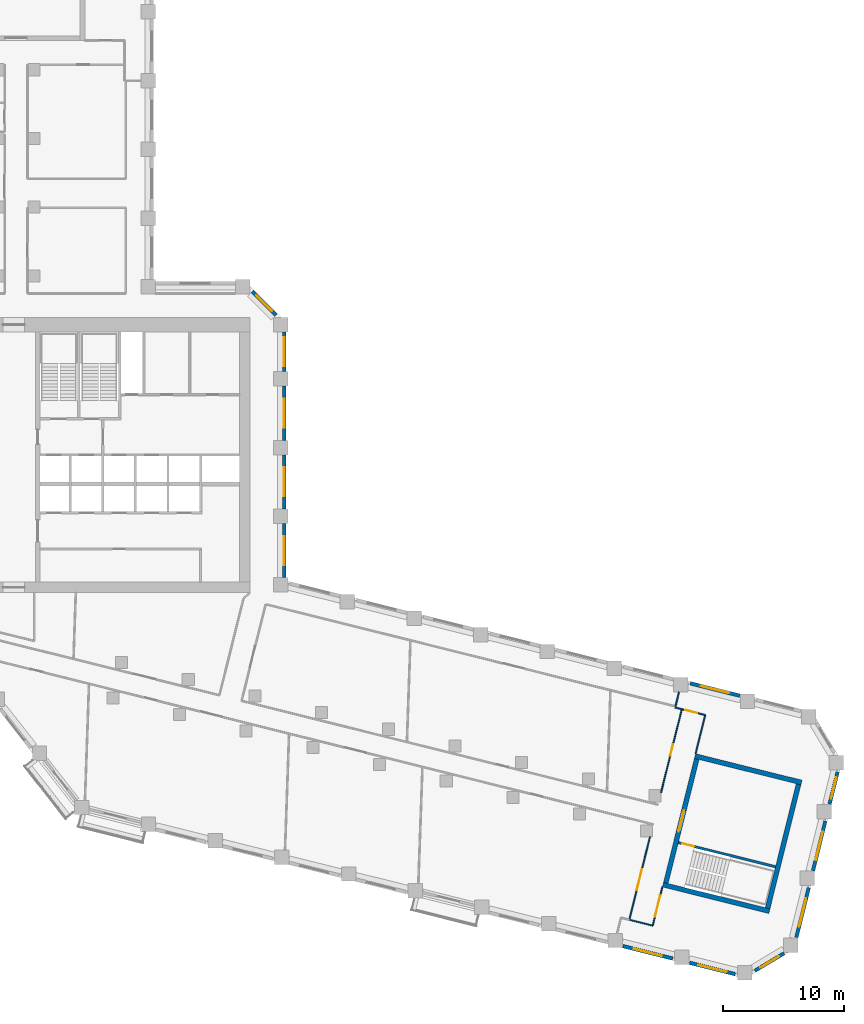
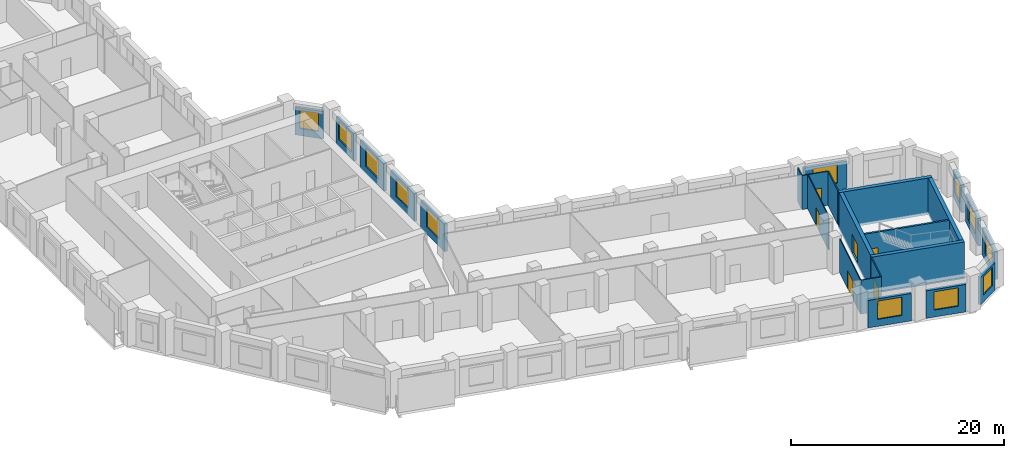
# One storey, part 6 of 10: 25 walls, 12 windows, 6 doors, 18 openings.
"""IFC4 building model written with IfcOpenShell, lengths in metres."""

from ifc_helpers import new_model, si_unit, direction, frame, frame_2d, origin, place, context, subcontext, project, spatial, rectangle, extrude, material, layer, layer_set, type_object, element, fill, save


model = new_model("IFC4")

# Units and contexts
model_context = context("Model", 3, precision=1e-05, world=origin(), true_north=direction((0.0, 1.0)))
body_context = subcontext(model_context, "Body", "Model", "MODEL_VIEW")
ifc_project = project(units=[si_unit("LENGTHUNIT", "METRE"), si_unit("AREAUNIT", "SQUARE_METRE"), si_unit("VOLUMEUNIT", "CUBIC_METRE"), si_unit("PLANEANGLEUNIT", "RADIAN"), si_unit("MASSUNIT", "GRAM", prefix="KILO")], contexts=[model_context])

# Site, building, storey
site_placement = place(None, origin())
site = spatial("IfcSite", under=ifc_project, at=site_placement, CompositionType="ELEMENT")
building_placement = place(site_placement, origin())
building = spatial("IfcBuilding", under=site, at=building_placement, Name="Meshkara Civic Tower", CompositionType="ELEMENT")
storey_placement = place(building_placement, frame((0.0, 0.0, 165.60009765625)))
storey = spatial("IfcBuildingStorey", under=building, at=storey_placement, Name="L37", CompositionType="ELEMENT", Elevation=165.60009765625)

# Wall
ifc_material_1 = material(Name="Corridor wall 100")
ifc_layer_1 = layer(ifc_material_1, 0.10009765625)
ifc_layer_set_1 = layer_set([ifc_layer_1], Name="Corridor wall 100")
wall_type_1 = type_object("IfcWallType", Name="Corridor wall 100", PredefinedType="PARTITIONING", material=ifc_layer_set_1)
wall_1_placement = place(storey_placement, frame((62.261962890625, -13.050048828125, 0.0), z_axis=(0.0, 0.0, 1.0), x_axis=(0.970300241929, -0.241903783585, 0.0)))
element("IfcWall", 1, at=wall_1_placement, inside=storey, type_object=wall_type_1, Name="L37-W032", PredefinedType="PARTITIONING", context=body_context, shape_type="SweptSolid", body=[
    extrude(rectangle(XDim=2.000244140625, YDim=0.10009765625, at=frame_2d((1.0, 0.0))), origin(), (0.0, 0.0, 1.0), 3.89990234375),
])

# Wall, opening, door
wall_2_placement = place(storey_placement, frame((63.97705078125, -6.1708984375, 0.0), z_axis=(0.0, 0.0, 1.0), x_axis=(-0.241911678739, -0.970298273568, 0.0)))
wall_2 = element("IfcWall", 2, at=wall_2_placement, inside=storey, type_object=wall_type_1, Name="L37-W033", PredefinedType="PARTITIONING", context=body_context, shape_type="SweptSolid", body=[
    extrude(rectangle(XDim=7.08984375, YDim=0.10009765625, at=frame_2d((3.544921875, 0.0))), origin(), (0.0, 0.0, 1.0), 3.89990234375),
])
opening_1_placement = place(wall_2_placement, frame((2.780029296875, 0.0, 0.0)))
opening_1 = element("IfcOpeningElement", 3, at=opening_1_placement, cuts=wall_2, Name="Opening L37-D001", PredefinedType="OPENING", context=body_context, shape_type="SweptSolid", body=[
    extrude(rectangle(XDim=1.800048828125, YDim=2.10009765625, at=frame_2d((0.89990234375, 1.050048828125))), frame((0.0, 0.06005859375, 0.0), z_axis=(0.0, -1.0, 0.0), x_axis=(1.0, 0.0, 0.0)), (0.0, 0.0, 1.0), 0.1201171875),
])
ifc_material_2 = material(Name="Door pair 1800 x 2100")
door_type_1 = type_object("IfcDoorType", Name="Door pair 1800 x 2100", OperationType="SINGLE_SWING_LEFT", PredefinedType="DOOR", material=ifc_material_2)
door_1_placement = place(opening_1_placement, origin())
door_1 = element("IfcDoor", 4, at=door_1_placement, inside=storey, type_object=door_type_1, Name="L37-D001", OperationType="DOUBLE_DOOR_SINGLE_SWING", OverallHeight=2.10009765625, OverallWidth=1.800048828125, PredefinedType="DOOR", context=body_context, shape_type="SweptSolid", body=[
    extrude(rectangle(XDim=1.800048828125, YDim=2.10009765625, at=frame_2d((0.89990234375, 1.050048828125))), frame((0.0, 0.02490234375, 0.0), z_axis=(0.0, -1.0, 0.0), x_axis=(1.0, 0.0, 0.0)), (0.0, 0.0, 1.0), 0.050048828125),
])
fill(opening_1, door_1)

wall_3_placement = place(storey_placement, frame((64.202880859375, -13.533935546875, 0.0), z_axis=(0.0, 0.0, 1.0), x_axis=(0.241856645367, 0.970311992656, 0.0)))
wall_3 = element("IfcWall", 5, at=wall_3_placement, inside=storey, type_object=wall_type_1, Name="L37-W034", PredefinedType="PARTITIONING", context=body_context, shape_type="SweptSolid", body=[
    extrude(rectangle(XDim=3.2998046875, YDim=0.10009765625, at=frame_2d((1.64990234375, 0.0))), origin(), (0.0, 0.0, 1.0), 3.89990234375),
])
opening_2_placement = place(wall_3_placement, frame((0.780029296875, 0.0, 0.0)))
opening_2 = element("IfcOpeningElement", 6, at=opening_2_placement, cuts=wall_3, Name="Opening L37-D002", PredefinedType="OPENING", context=body_context, shape_type="SweptSolid", body=[
    extrude(rectangle(XDim=1.800048828125, YDim=2.10009765625, at=frame_2d((0.89990234375, 1.050048828125))), frame((0.0, 0.06005859375, 0.0), z_axis=(0.0, -1.0, 0.0), x_axis=(1.0, 0.0, 0.0)), (0.0, 0.0, 1.0), 0.1201171875),
])
door_2_placement = place(opening_2_placement, origin())
door_2 = element("IfcDoor", 7, at=door_2_placement, inside=storey, type_object=door_type_1, Name="L37-D002", OperationType="DOUBLE_DOOR_SINGLE_SWING", OverallHeight=2.10009765625, OverallWidth=1.800048828125, PredefinedType="DOOR", context=body_context, shape_type="SweptSolid", body=[
    extrude(rectangle(XDim=1.800048828125, YDim=2.10009765625, at=frame_2d((0.89990234375, 1.050048828125))), frame((0.0, 0.02490234375, 0.0), z_axis=(0.0, -1.0, 0.0), x_axis=(1.0, 0.0, 0.0)), (0.0, 0.0, 1.0), 0.050048828125),
])
fill(opening_2, door_2)

# Wall
wall_4_placement = place(storey_placement, frame((66.0869140625, 4.64990234375, 0.0), z_axis=(0.0, 0.0, 1.0), x_axis=(0.24202255973, 0.970270622343, 0.0)))
element("IfcWall", 8, at=wall_4_placement, inside=storey, type_object=wall_type_1, Name="L37-W035", PredefinedType="PARTITIONING", context=body_context, shape_type="SweptSolid", body=[
    extrude(rectangle(XDim=1.231689453125, YDim=0.10009765625, at=frame_2d((0.61572265625, 0.0))), origin(), (0.0, 0.0, 1.0), 3.89990234375),
])

# Wall, opening, door
wall_5_placement = place(storey_placement, frame((66.616943359375, 4.4150390625, 0.0), z_axis=(0.0, 0.0, 1.0), x_axis=(-0.241898048516, -0.97030167171, 0.0)))
wall_5 = element("IfcWall", 9, at=wall_5_placement, inside=storey, type_object=wall_type_1, Name="L37-W036", PredefinedType="PARTITIONING", context=body_context, shape_type="SweptSolid", body=[
    extrude(rectangle(XDim=7.118408203125, YDim=0.10009765625, at=frame_2d((3.55908203125, 0.0))), origin(), (0.0, 0.0, 1.0), 3.89990234375),
])
opening_3_placement = place(wall_5_placement, frame((2.97998046875, 0.0, 0.0)))
opening_3 = element("IfcOpeningElement", 10, at=opening_3_placement, cuts=wall_5, Name="Opening L37-D008", PredefinedType="OPENING", context=body_context, shape_type="SweptSolid", body=[
    extrude(rectangle(XDim=1.0, YDim=2.10009765625, at=frame_2d((0.5, 1.050048828125))), frame((0.0, 0.06005859375, 0.0), z_axis=(0.0, -1.0, 0.0), x_axis=(1.0, 0.0, 0.0)), (0.0, 0.0, 1.0), 0.1201171875),
])
ifc_material_3 = material(Name="Door 1000 x 2100")
door_type_2 = type_object("IfcDoorType", Name="Door 1000 x 2100", OperationType="SINGLE_SWING_LEFT", PredefinedType="DOOR", material=ifc_material_3)
door_3_placement = place(opening_3_placement, origin())
door_3 = element("IfcDoor", 11, at=door_3_placement, inside=storey, type_object=door_type_2, Name="L37-D008", OperationType="SINGLE_SWING_RIGHT", OverallHeight=2.10009765625, OverallWidth=1.0, PredefinedType="DOOR", context=body_context, shape_type="SweptSolid", body=[
    extrude(rectangle(XDim=1.0, YDim=2.10009765625, at=frame_2d((0.5, 1.050048828125))), frame((0.0, 0.02490234375, 0.0), z_axis=(0.0, -1.0, 0.0), x_axis=(1.0, 0.0, 0.0)), (0.0, 0.0, 1.0), 0.050048828125),
])
fill(opening_3, door_3)

# Wall
wall_6_placement = place(storey_placement, frame((67.759033203125, 0.72900390625, 0.0), z_axis=(0.0, 0.0, 1.0), x_axis=(0.241786986316, 0.970329352977, 0.0)))
element("IfcWall", 12, at=wall_6_placement, inside=storey, type_object=wall_type_1, Name="L37-W037", PredefinedType="PARTITIONING", context=body_context, shape_type="SweptSolid", body=[
    extrude(rectangle(XDim=3.2998046875, YDim=0.10009765625, at=frame_2d((1.64990234375, 0.0))), origin(), (0.0, 0.0, 1.0), 3.89990234375),
])

# Wall, opening, door
wall_7_placement = place(storey_placement, frame((68.556884765625, 3.930908203125, 0.0), z_axis=(0.0, 0.0, 1.0), x_axis=(-0.970242973473, 0.242133377347, 0.0)))
wall_7 = element("IfcWall", 13, at=wall_7_placement, inside=storey, type_object=wall_type_1, Name="L37-W038", PredefinedType="PARTITIONING", context=body_context, shape_type="SweptSolid", body=[
    extrude(rectangle(XDim=1.99951171875, YDim=0.10009765625, at=frame_2d((0.999755859375, 0.0))), origin(), (0.0, 0.0, 1.0), 3.89990234375),
])
opening_4_placement = place(wall_7_placement, frame((0.679931640625, 0.0, 0.0)))
opening_4 = element("IfcOpeningElement", 14, at=opening_4_placement, cuts=wall_7, Name="Opening L37-D009", PredefinedType="OPENING", context=body_context, shape_type="SweptSolid", body=[
    extrude(rectangle(XDim=1.0, YDim=2.10009765625, at=frame_2d((0.5, 1.050048828125))), frame((0.0, 0.06005859375, 0.0), z_axis=(0.0, -1.0, 0.0), x_axis=(1.0, 0.0, 0.0)), (0.0, 0.0, 1.0), 0.1201171875),
])
door_4_placement = place(opening_4_placement, origin())
door_4 = element("IfcDoor", 15, at=door_4_placement, inside=storey, type_object=door_type_2, Name="L37-D009", OperationType="SINGLE_SWING_LEFT", OverallHeight=2.10009765625, OverallWidth=1.0, PredefinedType="DOOR", context=body_context, shape_type="SweptSolid", body=[
    extrude(rectangle(XDim=1.0, YDim=2.10009765625, at=frame_2d((0.5, 1.050048828125))), frame((0.0, 0.02490234375, 0.0), z_axis=(0.0, -1.0, 0.0), x_axis=(1.0, 0.0, 0.0)), (0.0, 0.0, 1.0), 0.050048828125),
])
fill(opening_4, door_4)

# Wall, opening, window
ifc_material_4 = material(Name="Insulated infill panel with bronze anodised aluminium cladding", Category="aluminium")
ifc_layer_2 = layer(ifc_material_4, 0.300048828125)
ifc_layer_set_2 = layer_set([ifc_layer_2], Name="EXTERNAL INFILL WALL 300")
wall_type_2 = type_object("IfcWallType", Name="EXTERNAL INFILL WALL 300", PredefinedType="SOLIDWALL", material=ifc_layer_set_2)
wall_8_placement = place(storey_placement, frame((71.431884765625, 5.532958984375, 0.0), z_axis=(0.0, 0.0, 1.0), x_axis=(-0.970301260502, 0.241899697951, 0.0)))
wall_8 = element("IfcWall", 16, at=wall_8_placement, inside=storey, type_object=wall_type_2, Name="External wall", PredefinedType="SOLIDWALL", context=body_context, shape_type="SweptSolid", body=[
    extrude(rectangle(XDim=4.24609375, YDim=0.300048828125, at=frame_2d((2.123046875, 0.0))), origin(), (0.0, 0.0, 1.0), 3.14990234375),
])
opening_5_placement = place(wall_8_placement, frame((0.923095703125, 0.0, 0.800048828125)))
opening_5 = element("IfcOpeningElement", 17, at=opening_5_placement, cuts=wall_8, Name="Opening W7", PredefinedType="OPENING", context=body_context, shape_type="SweptSolid", body=[
    extrude(rectangle(XDim=2.39990234375, YDim=2.10009765625, at=frame_2d((1.199951171875, 1.050048828125))), frame((0.0, 0.159912109375, 0.0), z_axis=(0.0, -1.0, 0.0), x_axis=(1.0, 0.0, 0.0)), (0.0, 0.0, 1.0), 0.320068359375),
])
ifc_material_5 = material(Name="Tinted double glazing", Category="glass")
window_type_1 = type_object("IfcWindowType", Name="WINDOW 2400x2100", PartitioningType="DOUBLE_PANEL_VERTICAL", PredefinedType="WINDOW", material=ifc_material_5)
window_1_placement = place(opening_5_placement, origin())
window_1 = element("IfcWindow", 18, at=window_1_placement, inside=storey, type_object=window_type_1, Name="Window", OverallHeight=2.10009765625, OverallWidth=2.39990234375, PartitioningType="DOUBLE_PANEL_VERTICAL", PredefinedType="WINDOW", context=body_context, shape_type="SweptSolid", body=[
    extrude(rectangle(XDim=2.39990234375, YDim=2.10009765625, at=frame_2d((1.199951171875, 1.050048828125))), frame((0.0, 0.030029296875, 0.0), z_axis=(0.0, -1.0, 0.0), x_axis=(1.0, 0.0, 0.0)), (0.0, 0.0, 1.0), 0.06005859375),
])
fill(opening_5, window_1)

wall_9_placement = place(storey_placement, frame((33.64990234375, 15.319091796875, 0.0), z_axis=(0.0, 0.0, 1.0), x_axis=(0.0, 1.0, 0.0)))
wall_9 = element("IfcWall", 19, at=wall_9_placement, inside=storey, type_object=wall_type_2, Name="External wall", PredefinedType="SOLIDWALL", context=body_context, shape_type="SweptSolid", body=[
    extrude(rectangle(XDim=4.5, YDim=0.300048828125, at=frame_2d((2.25, 0.0))), origin(), (0.0, 0.0, 1.0), 3.14990234375),
])
opening_6_placement = place(wall_9_placement, frame((1.050048828125, 0.0, 0.800048828125)))
opening_6 = element("IfcOpeningElement", 20, at=opening_6_placement, cuts=wall_9, Name="Opening W7", PredefinedType="OPENING", context=body_context, shape_type="SweptSolid", body=[
    extrude(rectangle(XDim=2.39990234375, YDim=2.10009765625, at=frame_2d((1.199951171875, 1.050048828125))), frame((0.0, 0.159912109375, 0.0), z_axis=(0.0, -1.0, 0.0), x_axis=(1.0, 0.0, 0.0)), (0.0, 0.0, 1.0), 0.320068359375),
])
window_2_placement = place(opening_6_placement, origin())
window_2 = element("IfcWindow", 21, at=window_2_placement, inside=storey, type_object=window_type_1, Name="Window", OverallHeight=2.10009765625, OverallWidth=2.39990234375, PartitioningType="DOUBLE_PANEL_VERTICAL", PredefinedType="WINDOW", context=body_context, shape_type="SweptSolid", body=[
    extrude(rectangle(XDim=2.39990234375, YDim=2.10009765625, at=frame_2d((1.199951171875, 1.050048828125))), frame((0.0, 0.030029296875, 0.0), z_axis=(0.0, -1.0, 0.0), x_axis=(1.0, 0.0, 0.0)), (0.0, 0.0, 1.0), 0.06005859375),
])
fill(opening_6, window_2)

wall_10_placement = place(storey_placement, frame((33.64990234375, 21.01904296875, 0.0), z_axis=(0.0, 0.0, 1.0), x_axis=(0.0, 1.0, 0.0)))
wall_10 = element("IfcWall", 22, at=wall_10_placement, inside=storey, type_object=wall_type_2, Name="External wall", PredefinedType="SOLIDWALL", context=body_context, shape_type="SweptSolid", body=[
    extrude(rectangle(XDim=4.5, YDim=0.300048828125, at=frame_2d((2.25, 0.0))), origin(), (0.0, 0.0, 1.0), 3.14990234375),
])
opening_7_placement = place(wall_10_placement, frame((1.050048828125, 0.0, 0.800048828125)))
opening_7 = element("IfcOpeningElement", 23, at=opening_7_placement, cuts=wall_10, Name="Opening W7", PredefinedType="OPENING", context=body_context, shape_type="SweptSolid", body=[
    extrude(rectangle(XDim=2.39990234375, YDim=2.10009765625, at=frame_2d((1.199951171875, 1.050048828125))), frame((0.0, 0.159912109375, 0.0), z_axis=(0.0, -1.0, 0.0), x_axis=(1.0, 0.0, 0.0)), (0.0, 0.0, 1.0), 0.320068359375),
])
window_3_placement = place(opening_7_placement, origin())
window_3 = element("IfcWindow", 24, at=window_3_placement, inside=storey, type_object=window_type_1, Name="Window", OverallHeight=2.10009765625, OverallWidth=2.39990234375, PartitioningType="DOUBLE_PANEL_VERTICAL", PredefinedType="WINDOW", context=body_context, shape_type="SweptSolid", body=[
    extrude(rectangle(XDim=2.39990234375, YDim=2.10009765625, at=frame_2d((1.199951171875, 1.050048828125))), frame((0.0, 0.030029296875, 0.0), z_axis=(0.0, -1.0, 0.0), x_axis=(1.0, 0.0, 0.0)), (0.0, 0.0, 1.0), 0.06005859375),
])
fill(opening_7, window_3)

wall_11_placement = place(storey_placement, frame((33.64990234375, 26.718994140625, 0.0), z_axis=(0.0, 0.0, 1.0), x_axis=(0.0, 1.0, 0.0)))
wall_11 = element("IfcWall", 25, at=wall_11_placement, inside=storey, type_object=wall_type_2, Name="External wall", PredefinedType="SOLIDWALL", context=body_context, shape_type="SweptSolid", body=[
    extrude(rectangle(XDim=4.5, YDim=0.300048828125, at=frame_2d((2.25, 0.0))), origin(), (0.0, 0.0, 1.0), 3.14990234375),
])
opening_8_placement = place(wall_11_placement, frame((1.050048828125, 0.0, 0.800048828125)))
opening_8 = element("IfcOpeningElement", 26, at=opening_8_placement, cuts=wall_11, Name="Opening W7", PredefinedType="OPENING", context=body_context, shape_type="SweptSolid", body=[
    extrude(rectangle(XDim=2.39990234375, YDim=2.10009765625, at=frame_2d((1.199951171875, 1.050048828125))), frame((0.0, 0.159912109375, 0.0), z_axis=(0.0, -1.0, 0.0), x_axis=(1.0, 0.0, 0.0)), (0.0, 0.0, 1.0), 0.320068359375),
])
window_4_placement = place(opening_8_placement, origin())
window_4 = element("IfcWindow", 27, at=window_4_placement, inside=storey, type_object=window_type_1, Name="Window", OverallHeight=2.10009765625, OverallWidth=2.39990234375, PartitioningType="DOUBLE_PANEL_VERTICAL", PredefinedType="WINDOW", context=body_context, shape_type="SweptSolid", body=[
    extrude(rectangle(XDim=2.39990234375, YDim=2.10009765625, at=frame_2d((1.199951171875, 1.050048828125))), frame((0.0, 0.030029296875, 0.0), z_axis=(0.0, -1.0, 0.0), x_axis=(1.0, 0.0, 0.0)), (0.0, 0.0, 1.0), 0.06005859375),
])
fill(opening_8, window_4)

wall_12_placement = place(storey_placement, frame((33.64990234375, 32.4189453125, 0.0), z_axis=(0.0, 0.0, 1.0), x_axis=(0.0, 1.0, 0.0)))
wall_12 = element("IfcWall", 28, at=wall_12_placement, inside=storey, type_object=wall_type_2, Name="External wall", PredefinedType="SOLIDWALL", context=body_context, shape_type="SweptSolid", body=[
    extrude(rectangle(XDim=3.275146484375, YDim=0.300048828125, at=frame_2d((1.6376953125, 0.0))), origin(), (0.0, 0.0, 1.0), 3.14990234375),
])
opening_9_placement = place(wall_12_placement, frame((0.43798828125, 0.0, 0.800048828125)))
opening_9 = element("IfcOpeningElement", 29, at=opening_9_placement, cuts=wall_12, Name="Opening W7", PredefinedType="OPENING", context=body_context, shape_type="SweptSolid", body=[
    extrude(rectangle(XDim=2.39990234375, YDim=2.10009765625, at=frame_2d((1.199951171875, 1.050048828125))), frame((0.0, 0.159912109375, 0.0), z_axis=(0.0, -1.0, 0.0), x_axis=(1.0, 0.0, 0.0)), (0.0, 0.0, 1.0), 0.320068359375),
])
window_5_placement = place(opening_9_placement, origin())
window_5 = element("IfcWindow", 30, at=window_5_placement, inside=storey, type_object=window_type_1, Name="Window", OverallHeight=2.10009765625, OverallWidth=2.39990234375, PartitioningType="DOUBLE_PANEL_VERTICAL", PredefinedType="WINDOW", context=body_context, shape_type="SweptSolid", body=[
    extrude(rectangle(XDim=2.39990234375, YDim=2.10009765625, at=frame_2d((1.199951171875, 1.050048828125))), frame((0.0, 0.030029296875, 0.0), z_axis=(0.0, -1.0, 0.0), x_axis=(1.0, 0.0, 0.0)), (0.0, 0.0, 1.0), 0.06005859375),
])
fill(opening_9, window_5)

wall_13_placement = place(storey_placement, frame((32.9619140625, 37.10595703125, 0.0), z_axis=(0.0, 0.0, 1.0), x_axis=(-0.707062649074, 0.707150910545, 0.0)))
wall_13 = element("IfcWall", 31, at=wall_13_placement, inside=storey, type_object=wall_type_2, Name="External wall", PredefinedType="SOLIDWALL", context=body_context, shape_type="SweptSolid", body=[
    extrude(rectangle(XDim=2.76611328125, YDim=0.300048828125, at=frame_2d((1.383056640625, 0.0))), origin(), (0.0, 0.0, 1.0), 3.14990234375),
])
opening_10_placement = place(wall_13_placement, frame((0.48291015625, 0.0, 0.800048828125)))
opening_10 = element("IfcOpeningElement", 32, at=opening_10_placement, cuts=wall_13, Name="Opening W9", PredefinedType="OPENING", context=body_context, shape_type="SweptSolid", body=[
    extrude(rectangle(XDim=1.800048828125, YDim=2.10009765625, at=frame_2d((0.89990234375, 1.050048828125))), frame((0.0, 0.159912109375, 0.0), z_axis=(0.0, -1.0, 0.0), x_axis=(1.0, 0.0, 0.0)), (0.0, 0.0, 1.0), 0.320068359375),
])
ifc_material_6 = material(Name="Tinted double glazing", Category="glass")
window_type_2 = type_object("IfcWindowType", Name="WINDOW 1800x2100", PartitioningType="DOUBLE_PANEL_VERTICAL", PredefinedType="WINDOW", material=ifc_material_6)
window_6_placement = place(opening_10_placement, origin())
window_6 = element("IfcWindow", 33, at=window_6_placement, inside=storey, type_object=window_type_2, Name="Window", OverallHeight=2.10009765625, OverallWidth=1.800048828125, PartitioningType="DOUBLE_PANEL_VERTICAL", PredefinedType="WINDOW", context=body_context, shape_type="SweptSolid", body=[
    extrude(rectangle(XDim=1.800048828125, YDim=2.10009765625, at=frame_2d((0.89990234375, 1.050048828125))), frame((0.0, 0.030029296875, 0.0), z_axis=(0.0, -1.0, 0.0), x_axis=(1.0, 0.0, 0.0)), (0.0, 0.0, 1.0), 0.06005859375),
])
fill(opening_10, window_6)

wall_14_placement = place(storey_placement, frame((61.72998046875, -15.236083984375, 0.0), z_axis=(0.0, 0.0, 1.0), x_axis=(0.970304663212, -0.241886048688, 0.0)))
wall_14 = element("IfcWall", 34, at=wall_14_placement, inside=storey, type_object=wall_type_2, Name="External wall", PredefinedType="SOLIDWALL", context=body_context, shape_type="SweptSolid", body=[
    extrude(rectangle(XDim=4.2451171875, YDim=0.300048828125, at=frame_2d((2.12255859375, 0.0))), origin(), (0.0, 0.0, 1.0), 3.14990234375),
])
opening_11_placement = place(wall_14_placement, frame((0.922119140625, 0.0, 0.800048828125)))
opening_11 = element("IfcOpeningElement", 35, at=opening_11_placement, cuts=wall_14, Name="Opening W7", PredefinedType="OPENING", context=body_context, shape_type="SweptSolid", body=[
    extrude(rectangle(XDim=2.39990234375, YDim=2.10009765625, at=frame_2d((1.199951171875, 1.050048828125))), frame((0.0, 0.159912109375, 0.0), z_axis=(0.0, -1.0, 0.0), x_axis=(1.0, 0.0, 0.0)), (0.0, 0.0, 1.0), 0.320068359375),
])
window_7_placement = place(opening_11_placement, origin())
window_7 = element("IfcWindow", 36, at=window_7_placement, inside=storey, type_object=window_type_1, Name="Window", OverallHeight=2.10009765625, OverallWidth=2.39990234375, PartitioningType="DOUBLE_PANEL_VERTICAL", PredefinedType="WINDOW", context=body_context, shape_type="SweptSolid", body=[
    extrude(rectangle(XDim=2.39990234375, YDim=2.10009765625, at=frame_2d((1.199951171875, 1.050048828125))), frame((0.0, 0.030029296875, 0.0), z_axis=(0.0, -1.0, 0.0), x_axis=(1.0, 0.0, 0.0)), (0.0, 0.0, 1.0), 0.06005859375),
])
fill(opening_11, window_7)

wall_15_placement = place(storey_placement, frame((67.260009765625, -16.614990234375, 0.0), z_axis=(0.0, 0.0, 1.0), x_axis=(0.97033344074, -0.241770580885, 0.0)))
wall_15 = element("IfcWall", 37, at=wall_15_placement, inside=storey, type_object=wall_type_2, Name="External wall", PredefinedType="SOLIDWALL", context=body_context, shape_type="SweptSolid", body=[
    extrude(rectangle(XDim=3.905029296875, YDim=0.300048828125, at=frame_2d((1.95263671875, 0.0))), origin(), (0.0, 0.0, 1.0), 3.14990234375),
])
opening_12_placement = place(wall_15_placement, frame((0.751953125, 0.0, 0.800048828125)))
opening_12 = element("IfcOpeningElement", 38, at=opening_12_placement, cuts=wall_15, Name="Opening W7", PredefinedType="OPENING", context=body_context, shape_type="SweptSolid", body=[
    extrude(rectangle(XDim=2.39990234375, YDim=2.10009765625, at=frame_2d((1.199951171875, 1.050048828125))), frame((0.0, 0.159912109375, 0.0), z_axis=(0.0, -1.0, 0.0), x_axis=(1.0, 0.0, 0.0)), (0.0, 0.0, 1.0), 0.320068359375),
])
window_8_placement = place(opening_12_placement, origin())
window_8 = element("IfcWindow", 39, at=window_8_placement, inside=storey, type_object=window_type_1, Name="Window", OverallHeight=2.10009765625, OverallWidth=2.39990234375, PartitioningType="DOUBLE_PANEL_VERTICAL", PredefinedType="WINDOW", context=body_context, shape_type="SweptSolid", body=[
    extrude(rectangle(XDim=2.39990234375, YDim=2.10009765625, at=frame_2d((1.199951171875, 1.050048828125))), frame((0.0, 0.030029296875, 0.0), z_axis=(0.0, -1.0, 0.0), x_axis=(1.0, 0.0, 0.0)), (0.0, 0.0, 1.0), 0.06005859375),
])
fill(opening_12, window_8)

wall_16_placement = place(storey_placement, frame((72.68701171875, -17.277099609375, 0.0), z_axis=(0.0, 0.0, 1.0), x_axis=(0.857309341171, 0.514801606, 0.0)))
wall_16 = element("IfcWall", 40, at=wall_16_placement, inside=storey, type_object=wall_type_2, Name="External wall", PredefinedType="SOLIDWALL", context=body_context, shape_type="SweptSolid", body=[
    extrude(rectangle(XDim=2.81689453125, YDim=0.300048828125, at=frame_2d((1.408447265625, 0.0))), origin(), (0.0, 0.0, 1.0), 3.14990234375),
])
opening_13_placement = place(wall_16_placement, frame((0.508056640625, 0.0, 0.800048828125)))
opening_13 = element("IfcOpeningElement", 41, at=opening_13_placement, cuts=wall_16, Name="Opening W9", PredefinedType="OPENING", context=body_context, shape_type="SweptSolid", body=[
    extrude(rectangle(XDim=1.800048828125, YDim=2.10009765625, at=frame_2d((0.89990234375, 1.050048828125))), frame((0.0, 0.159912109375, 0.0), z_axis=(0.0, -1.0, 0.0), x_axis=(1.0, 0.0, 0.0)), (0.0, 0.0, 1.0), 0.320068359375),
])
window_9_placement = place(opening_13_placement, origin())
window_9 = element("IfcWindow", 42, at=window_9_placement, inside=storey, type_object=window_type_2, Name="Window", OverallHeight=2.10009765625, OverallWidth=1.800048828125, PartitioningType="DOUBLE_PANEL_VERTICAL", PredefinedType="WINDOW", context=body_context, shape_type="SweptSolid", body=[
    extrude(rectangle(XDim=1.800048828125, YDim=2.10009765625, at=frame_2d((0.89990234375, 1.050048828125))), frame((0.0, 0.030029296875, 0.0), z_axis=(0.0, -1.0, 0.0), x_axis=(1.0, 0.0, 0.0)), (0.0, 0.0, 1.0), 0.06005859375),
])
fill(opening_13, window_9)

wall_17_placement = place(storey_placement, frame((76.12109375, -14.511962890625, 0.0), z_axis=(0.0, 0.0, 1.0), x_axis=(0.241845562088, 0.970314755169, 0.0)))
wall_17 = element("IfcWall", 43, at=wall_17_placement, inside=storey, type_object=wall_type_2, Name="External wall", PredefinedType="SOLIDWALL", context=body_context, shape_type="SweptSolid", body=[
    extrude(rectangle(XDim=4.245849609375, YDim=0.300048828125, at=frame_2d((2.123046875, 0.0))), origin(), (0.0, 0.0, 1.0), 3.14990234375),
])
opening_14_placement = place(wall_17_placement, frame((0.923095703125, 0.0, 0.800048828125)))
opening_14 = element("IfcOpeningElement", 44, at=opening_14_placement, cuts=wall_17, Name="Opening W7", PredefinedType="OPENING", context=body_context, shape_type="SweptSolid", body=[
    extrude(rectangle(XDim=2.39990234375, YDim=2.10009765625, at=frame_2d((1.199951171875, 1.050048828125))), frame((0.0, 0.159912109375, 0.0), z_axis=(0.0, -1.0, 0.0), x_axis=(1.0, 0.0, 0.0)), (0.0, 0.0, 1.0), 0.320068359375),
])
window_10_placement = place(opening_14_placement, origin())
window_10 = element("IfcWindow", 45, at=window_10_placement, inside=storey, type_object=window_type_1, Name="Window", OverallHeight=2.10009765625, OverallWidth=2.39990234375, PartitioningType="DOUBLE_PANEL_VERTICAL", PredefinedType="WINDOW", context=body_context, shape_type="SweptSolid", body=[
    extrude(rectangle(XDim=2.39990234375, YDim=2.10009765625, at=frame_2d((1.199951171875, 1.050048828125))), frame((0.0, 0.030029296875, 0.0), z_axis=(0.0, -1.0, 0.0), x_axis=(1.0, 0.0, 0.0)), (0.0, 0.0, 1.0), 0.06005859375),
])
fill(opening_14, window_10)

wall_18_placement = place(storey_placement, frame((77.5, -8.98095703125, 0.0), z_axis=(0.0, 0.0, 1.0), x_axis=(0.241682938765, 0.970355273655, 0.0)))
wall_18 = element("IfcWall", 46, at=wall_18_placement, inside=storey, type_object=wall_type_2, Name="External wall", PredefinedType="SOLIDWALL", context=body_context, shape_type="SweptSolid", body=[
    extrude(rectangle(XDim=4.24462890625, YDim=0.300048828125, at=frame_2d((2.122314453125, 0.0))), origin(), (0.0, 0.0, 1.0), 3.14990234375),
])
opening_15_placement = place(wall_18_placement, frame((0.922119140625, 0.0, 0.800048828125)))
opening_15 = element("IfcOpeningElement", 47, at=opening_15_placement, cuts=wall_18, Name="Opening W7", PredefinedType="OPENING", context=body_context, shape_type="SweptSolid", body=[
    extrude(rectangle(XDim=2.39990234375, YDim=2.10009765625, at=frame_2d((1.199951171875, 1.050048828125))), frame((0.0, 0.159912109375, 0.0), z_axis=(0.0, -1.0, 0.0), x_axis=(1.0, 0.0, 0.0)), (0.0, 0.0, 1.0), 0.320068359375),
])
window_11_placement = place(opening_15_placement, origin())
window_11 = element("IfcWindow", 48, at=window_11_placement, inside=storey, type_object=window_type_1, Name="Window", OverallHeight=2.10009765625, OverallWidth=2.39990234375, PartitioningType="DOUBLE_PANEL_VERTICAL", PredefinedType="WINDOW", context=body_context, shape_type="SweptSolid", body=[
    extrude(rectangle(XDim=2.39990234375, YDim=2.10009765625, at=frame_2d((1.199951171875, 1.050048828125))), frame((0.0, 0.030029296875, 0.0), z_axis=(0.0, -1.0, 0.0), x_axis=(1.0, 0.0, 0.0)), (0.0, 0.0, 1.0), 0.06005859375),
])
fill(opening_15, window_11)

wall_19_placement = place(storey_placement, frame((78.8779296875, -3.450927734375, 0.0), z_axis=(0.0, 0.0, 1.0), x_axis=(0.24190501074, 0.970299935988, 0.0)))
wall_19 = element("IfcWall", 49, at=wall_19_placement, inside=storey, type_object=wall_type_2, Name="External wall", PredefinedType="SOLIDWALL", context=body_context, shape_type="SweptSolid", body=[
    extrude(rectangle(XDim=2.73291015625, YDim=0.300048828125, at=frame_2d((1.366455078125, 0.0))), origin(), (0.0, 0.0, 1.0), 3.14990234375),
])
opening_16_placement = place(wall_19_placement, frame((0.466064453125, 0.0, 0.800048828125)))
opening_16 = element("IfcOpeningElement", 50, at=opening_16_placement, cuts=wall_19, Name="Opening W9", PredefinedType="OPENING", context=body_context, shape_type="SweptSolid", body=[
    extrude(rectangle(XDim=1.800048828125, YDim=2.10009765625, at=frame_2d((0.89990234375, 1.050048828125))), frame((0.0, 0.159912109375, 0.0), z_axis=(0.0, -1.0, 0.0), x_axis=(1.0, 0.0, 0.0)), (0.0, 0.0, 1.0), 0.320068359375),
])
window_12_placement = place(opening_16_placement, origin())
window_12 = element("IfcWindow", 51, at=window_12_placement, inside=storey, type_object=window_type_2, Name="Window", OverallHeight=2.10009765625, OverallWidth=1.800048828125, PartitioningType="DOUBLE_PANEL_VERTICAL", PredefinedType="WINDOW", context=body_context, shape_type="SweptSolid", body=[
    extrude(rectangle(XDim=1.800048828125, YDim=2.10009765625, at=frame_2d((0.89990234375, 1.050048828125))), frame((0.0, 0.030029296875, 0.0), z_axis=(0.0, -1.0, 0.0), x_axis=(1.0, 0.0, 0.0)), (0.0, 0.0, 1.0), 0.06005859375),
])
fill(opening_16, window_12)

# Walls
ifc_material_7 = material(Name="Concrete C70", Category="concrete")
ifc_layer_3 = layer(ifc_material_7, 0.39990234375)
ifc_layer_set_3 = layer_set([ifc_layer_3], Name="End core ring wall 400 C70")
wall_type_3 = type_object("IfcWallType", Name="End core ring wall 400 C70", PredefinedType="SHEAR", material=ifc_layer_set_3)
for number, where, z_axis, x_axis, name in (
    (52, (65.050048828125, -10.137939453125, -0.300048828125), (0.0, 0.0, 1.0), (0.970273354879, -0.242011604707, 0.0), "L37-C027"),
    (53, (67.7109375, 0.534912109375, -0.300048828125), (0.0, 0.0, 1.0), (0.970306418893, -0.241879005816, 0.0), "L37-C028"),
):
    element("IfcWall", number, at=place(storey_placement, frame(where, z_axis=z_axis, x_axis=x_axis)), inside=storey, type_object=wall_type_3, Name=name, PredefinedType="SHEAR", context=body_context, shape_type="SweptSolid", body=[
        extrude(rectangle(XDim=9.099365234375, YDim=0.39990234375, at=frame_2d((4.5498046875, 0.0))), origin(), (0.0, 0.0, 1.0), 4.199951171875),
    ])

# Wall, opening, door
wall_20_placement = place(storey_placement, frame((65.2919921875, -9.991943359375, -0.300048828125), z_axis=(0.0, 0.0, 1.0), x_axis=(0.241890652548, 0.970303515509, 0.0)))
wall_20 = element("IfcWall", 54, at=wall_20_placement, inside=storey, type_object=wall_type_3, Name="L37-C029", PredefinedType="SHEAR", context=body_context, shape_type="SweptSolid", body=[
    extrude(rectangle(XDim=10.599609375, YDim=0.39990234375, at=frame_2d((5.2998046875, 0.0))), origin(), (0.0, 0.0, 1.0), 4.199951171875),
])
opening_17_placement = place(wall_20_placement, frame((4.39990234375, 0.0, 0.300048828125)))
opening_17 = element("IfcOpeningElement", 55, at=opening_17_placement, cuts=wall_20, Name="Opening L37-K202", PredefinedType="OPENING", context=body_context, shape_type="SweptSolid", body=[
    extrude(rectangle(XDim=1.800048828125, YDim=2.10009765625, at=frame_2d((0.89990234375, 1.050048828125))), frame((0.0, 0.2099609375, 0.0), z_axis=(0.0, -1.0, 0.0), x_axis=(1.0, 0.0, 0.0)), (0.0, 0.0, 1.0), 0.419921875),
])
ifc_material_8 = material(Name="Fire-rated door leaf in steel frame", Category="steel")
door_type_3 = type_object("IfcDoorType", Name="Core double door 1800 EI 60", OperationType="DOUBLE_DOOR_SINGLE_SWING", PredefinedType="DOOR", material=ifc_material_8)
door_5_placement = place(opening_17_placement, origin())
door_5 = element("IfcDoor", 56, at=door_5_placement, inside=storey, type_object=door_type_3, Name="L37-K202", OperationType="DOUBLE_DOOR_SINGLE_SWING", OverallHeight=2.10009765625, OverallWidth=1.800048828125, PredefinedType="DOOR", context=body_context, shape_type="SweptSolid", body=[
    extrude(rectangle(XDim=1.800048828125, YDim=2.10009765625, at=frame_2d((0.89990234375, 1.050048828125))), frame((0.0, 0.02490234375, 0.0), z_axis=(0.0, -1.0, 0.0), x_axis=(1.0, 0.0, 0.0)), (0.0, 0.0, 1.0), 0.050048828125),
])
fill(opening_17, door_5)

# Walls
wall_21_placement = place(storey_placement, frame((73.73388671875, -12.096923828125, -0.300048828125), z_axis=(0.0, 0.0, 1.0), x_axis=(0.241912337509, 0.970298109326, 0.0)))
element("IfcWall", 57, at=wall_21_placement, inside=storey, type_object=wall_type_3, Name="L37-C030", PredefinedType="SHEAR", context=body_context, shape_type="SweptSolid", body=[
    extrude(rectangle(XDim=10.599853515625, YDim=0.39990234375, at=frame_2d((5.2998046875, 0.0))), origin(), (0.0, 0.0, 1.0), 4.199951171875),
])
ifc_material_9 = material(Name="Partition 100")
ifc_layer_4 = layer(ifc_material_9, 0.10009765625)
ifc_layer_set_4 = layer_set([ifc_layer_4], Name="Partition 100")
wall_type_4 = type_object("IfcWallType", Name="Partition 100", PredefinedType="PARTITIONING", material=ifc_layer_set_4)
wall_22_placement = place(storey_placement, frame((66.62109375, 4.4140625, 0.0), z_axis=(0.0, 0.0, 1.0), x_axis=(-0.970391687927, 0.241536688727, 0.0)))
element("IfcWall", 58, at=wall_22_placement, inside=storey, type_object=wall_type_4, Name="L37-W058", PredefinedType="PARTITIONING", context=body_context, shape_type="SweptSolid", body=[
    extrude(rectangle(XDim=0.5751953125, YDim=0.10009765625, at=frame_2d((0.28759765625, 0.0))), origin(), (0.0, 0.0, 1.0), 3.89990234375),
])

# Wall, opening, door
ifc_material_10 = material(Name="Concrete C40/50", Category="concrete")
ifc_layer_5 = layer(ifc_material_10, 0.199951171875)
ifc_layer_set_5 = layer_set([ifc_layer_5], Name="Stair enclosure wall 200 C40/50")
wall_type_5 = type_object("IfcWallType", Name="Stair enclosure wall 200 C40/50", PredefinedType="SOLIDWALL", material=ifc_layer_set_5)
wall_23_placement = place(storey_placement, frame((66.3330078125, -6.64501953125, 0.0), z_axis=(0.0, 0.0, 1.0), x_axis=(0.970289402158, -0.241947258837, 0.0)))
wall_23 = element("IfcWall", 59, at=wall_23_placement, inside=storey, type_object=wall_type_5, Name="L37-C031", PredefinedType="SOLIDWALL", context=body_context, shape_type="SweptSolid", body=[
    extrude(rectangle(XDim=8.299560546875, YDim=0.199951171875, at=frame_2d((4.14990234375, 0.0))), origin(), (0.0, 0.0, 1.0), 3.89990234375),
])
opening_18_placement = place(wall_23_placement, frame((0.35009765625, 0.0, 0.0)))
opening_18 = element("IfcOpeningElement", 60, at=opening_18_placement, cuts=wall_23, Name="Opening L37-K201", PredefinedType="OPENING", context=body_context, shape_type="SweptSolid", body=[
    extrude(rectangle(XDim=1.0, YDim=2.10009765625, at=frame_2d((0.5, 1.050048828125))), frame((0.0, 0.10986328125, 0.0), z_axis=(0.0, -1.0, 0.0), x_axis=(1.0, 0.0, 0.0)), (0.0, 0.0, 1.0), 0.219970703125),
])
ifc_material_11 = material(Name="Fire-rated door leaf in steel frame", Category="steel")
door_type_4 = type_object("IfcDoorType", Name="Stair door 1000 EI 120", OperationType="SINGLE_SWING_LEFT", PredefinedType="DOOR", material=ifc_material_11)
door_6_placement = place(opening_18_placement, origin())
door_6 = element("IfcDoor", 61, at=door_6_placement, inside=storey, type_object=door_type_4, Name="L37-K201", OperationType="SINGLE_SWING_LEFT", OverallHeight=2.10009765625, OverallWidth=1.0, PredefinedType="DOOR", context=body_context, shape_type="SweptSolid", body=[
    extrude(rectangle(XDim=1.0, YDim=2.10009765625, at=frame_2d((0.5, 1.050048828125))), frame((0.0, 0.02490234375, 0.0), z_axis=(0.0, -1.0, 0.0), x_axis=(1.0, 0.0, 0.0)), (0.0, 0.0, 1.0), 0.050048828125),
])
fill(opening_18, door_6)

save(model, "model.ifc")
